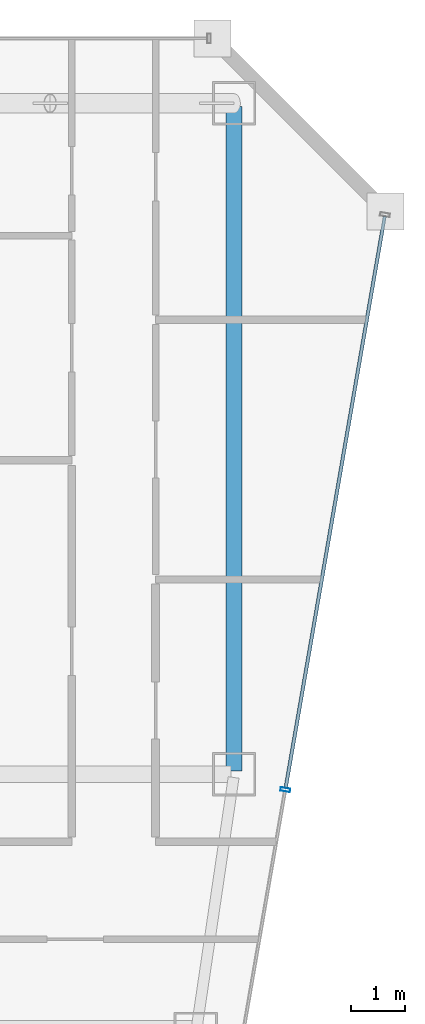
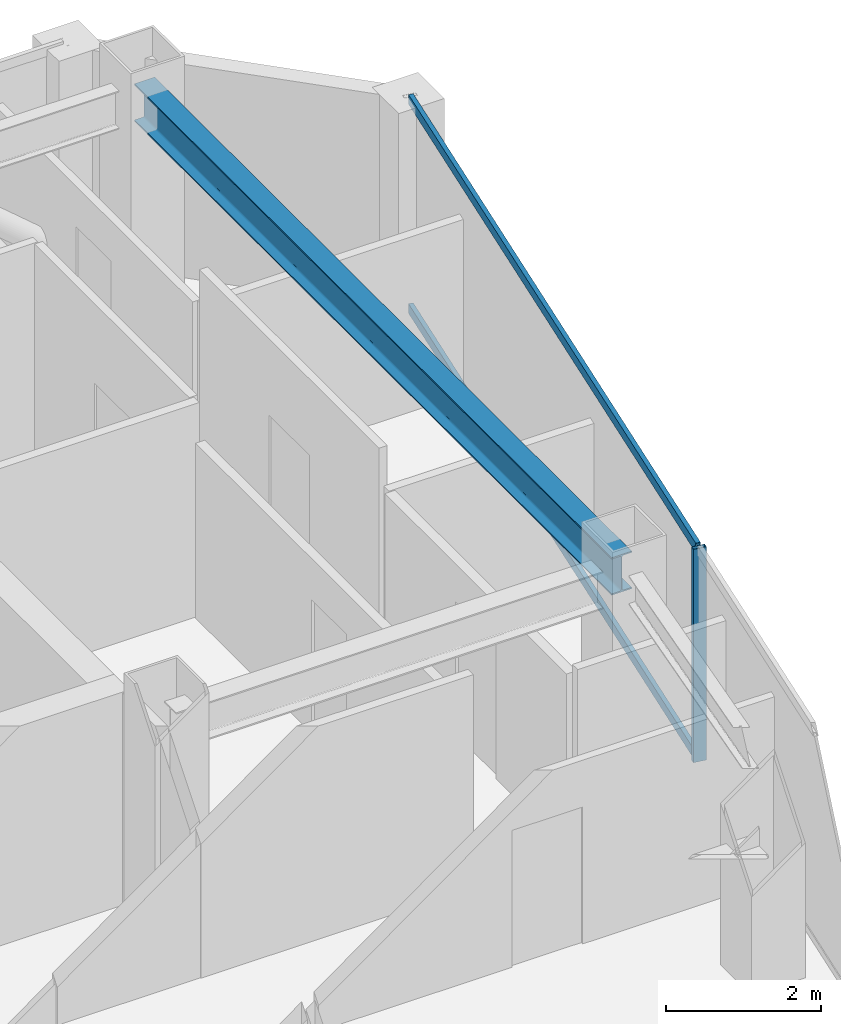
# One storey, part 20 of 35: 3 members, 1 beam, 1 element without a shape of its own.
"""IFC4 building model written with IfcOpenShell, lengths in metres."""

import ifcopenshell
import ifcopenshell.guid

model = None  # the IFC model being written
_history = None  # IfcOwnerHistory: only IFC2X3 demands one
_inside = {}  # id of a spatial element -> (the spatial element, [elements in it])
_under = {}  # id of a project, library or spatial element -> (it, [spatial elements below it])
_declared = {}  # id of a project -> (the project, [libraries it declares])
_typed = {}  # id of a type object -> (the type object, [elements of that type])
_made_of = {}  # id of a material, layer set ... -> (it, [elements and type objects made of it])


def new_model(schema):
    """Start an empty IFC model of exactly this schema.

    Asked for "IFC4X3", IfcOpenShell would pick the latest addendum, in which some entities
    have other attributes; the version numbers below select the first issue.
    IFC2X3 requires an IfcOwnerHistory on every rooted entity: one is made here for all.
    """
    global model, _history
    if schema == "IFC4X3":
        model = ifcopenshell.file(schema_version=(4, 3, 0, 0))
    else:
        model = ifcopenshell.file(schema=schema)
    _inside.clear()
    _under.clear()
    _declared.clear()
    _typed.clear()
    _made_of.clear()
    _history = None
    if model.schema == "IFC2X3":
        org = make("IfcOrganization", Name="unknown")
        user = make(
            "IfcPersonAndOrganization",
            ThePerson=make("IfcPerson", FamilyName="unknown"),
            TheOrganization=org,
        )
        app = make(
            "IfcApplication",
            ApplicationDeveloper=org,
            Version="unknown",
            ApplicationFullName="unknown",
            ApplicationIdentifier="unknown",
        )
        _history = make(
            "IfcOwnerHistory",
            OwningUser=user,
            OwningApplication=app,
            ChangeAction="ADDED",
            CreationDate=0,
        )
    return model


def make(cls, **values):
    """One entity of the class cls with the attributes given. An attribute that is None is left unset."""
    return model.create_entity(
        cls, **{name: value for name, value in values.items() if value is not None}
    )


def rooted(cls, **values):
    """An entity with a GlobalId (a new one), such as an element, a storey or a relation."""
    return make(cls, GlobalId=ifcopenshell.guid.new(), OwnerHistory=_history, **values)


def si_unit(unit_type, name, prefix=None):
    """IfcSIUnit, for example si_unit("LENGTHUNIT", "METRE", prefix="MILLI")."""
    return make("IfcSIUnit", UnitType=unit_type, Prefix=prefix, Name=name)


def assignment(units):
    """IfcUnitAssignment: the units of a project."""
    return None if units is None else make("IfcUnitAssignment", Units=units)


def point(xyz):
    """IfcCartesianPoint."""
    return None if xyz is None else make("IfcCartesianPoint", Coordinates=xyz)


def direction(xyz):
    """IfcDirection."""
    return None if xyz is None else make("IfcDirection", DirectionRatios=xyz)


def frame(location, z_axis=None, x_axis=None):
    """IfcAxis2Placement3D, a coordinate frame: its origin and axes. An axis left out is left unset."""
    return make(
        "IfcAxis2Placement3D",
        Location=point(location),
        Axis=direction(z_axis),
        RefDirection=direction(x_axis),
    )


def frame_2d(location, x_axis=None):
    """IfcAxis2Placement2D, a coordinate frame in the plane: its origin and x axis."""
    return make(
        "IfcAxis2Placement2D", Location=point(location), RefDirection=direction(x_axis)
    )


def origin():
    """The frame at (0, 0, 0) with its axes left unset."""
    return frame((0.0, 0.0, 0.0))


def origin_2d():
    """The frame at (0, 0) in the plane with its x axis left unset."""
    return frame_2d((0.0, 0.0))


def place(relative_to, where):
    """IfcLocalPlacement: puts the frame where relative to a parent placement (None: the world)."""
    return make(
        "IfcLocalPlacement", PlacementRelTo=relative_to, RelativePlacement=where
    )


def context(
    kind, dimensions, precision=None, world=None, true_north=None, identifier=None
):
    """IfcGeometricRepresentationContext, for example the 3D "Model" context."""
    return make(
        "IfcGeometricRepresentationContext",
        ContextIdentifier=identifier,
        ContextType=kind,
        CoordinateSpaceDimension=dimensions,
        Precision=precision,
        WorldCoordinateSystem=world,
        TrueNorth=true_north,
    )


def subcontext(parent, identifier, kind, view, scale=None):
    """IfcGeometricRepresentationSubContext, for example "Body" below "Model"."""
    return make(
        "IfcGeometricRepresentationSubContext",
        ContextIdentifier=identifier,
        ContextType=kind,
        ParentContext=parent,
        TargetScale=scale,
        TargetView=view,
    )


def project(units=None, contexts=None):
    """IfcProject with its units and contexts."""
    return rooted(
        "IfcProject",
        Name="project",
        RepresentationContexts=contexts,
        UnitsInContext=assignment(units),
    )


def spatial(cls, under=None, at=None, **own):
    """A site, building, storey or space (cls), placed at a placement, below another one or the project."""
    s = rooted(cls, ObjectPlacement=at, **own)
    if under is not None:
        _under.setdefault(under.id(), (under, []))[1].append(s)
    return s


def profile(cls, at=None, kind="AREA", **sizes):
    """A parametric profile (cls). Its sizes go by their IFC names, for example OverallWidth=200.0."""
    return make(cls, ProfileType=kind, Position=at, **sizes)


def hollow_rectangle(**sizes):
    """IfcRectangleHollowProfileDef."""
    return profile("IfcRectangleHollowProfileDef", **sizes)


def i_section(**sizes):
    """IfcIShapeProfileDef."""
    return profile("IfcIShapeProfileDef", **sizes)


def extrude(swept, where, along, depth):
    """IfcExtrudedAreaSolid: the profile swept, set in the frame where, extruded along a direction by depth."""
    return make(
        "IfcExtrudedAreaSolid",
        SweptArea=swept,
        Position=where,
        ExtrudedDirection=direction(along),
        Depth=depth,
    )


def shape(context_of_items, identifier, shape_type, items):
    """IfcShapeRepresentation: the items that make up one representation, for example the "Body"."""
    return make(
        "IfcShapeRepresentation",
        ContextOfItems=context_of_items,
        RepresentationIdentifier=identifier,
        RepresentationType=shape_type,
        Items=items,
    )


def material(Name=None, Category=None):
    """IfcMaterial."""
    return make("IfcMaterial", Name=Name, Category=Category)


def material_profile(
    of_material, cross_section, Name=None, Category=None, Priority=None
):
    """IfcMaterialProfile: a cross section and its material."""
    return make(
        "IfcMaterialProfile",
        Name=Name,
        Material=of_material,
        Profile=cross_section,
        Priority=Priority,
        Category=Category,
    )


def profile_set(profiles, Name=None, composite=None):
    """IfcMaterialProfileSet."""
    return make(
        "IfcMaterialProfileSet",
        Name=Name,
        MaterialProfiles=profiles,
        CompositeProfile=composite,
    )


def made_of(thing, what):
    """Note that an element or type object is made of a material, layer set ...; save() writes the relation."""
    if what is not None:
        _made_of.setdefault(what.id(), (what, []))[1].append(thing)
    return thing


def type_object(cls, material=None, **own):
    """A type object (cls), such as IfcWallType, which elements share."""
    return made_of(rooted(cls, **own), material)


def element(
    cls,
    number,
    at=None,
    inside=None,
    cuts=None,
    type_object=None,
    material=None,
    context=None,
    identifier="Body",
    shape_type=None,
    held_by="IfcProductDefinitionShape",
    body=None,
    shapes=None,
    **own,
):
    """One element of the class cls, such as IfcWall. Its Tag is "e" and its number.

    at: its placement. inside: the storey or other place that contains it. cuts: it is an
    opening in that element (IfcRelVoidsElement). A single representation is given by context,
    identifier, shape_type and body (its items); several are given by shapes. held_by: the class
    of the entity that holds the representations. save() writes the other relations.
    """
    e = rooted(cls, Tag="e%d" % number, ObjectPlacement=at, **own)
    if body is not None:
        shapes = [shape(context, identifier, shape_type, body)]
    if shapes is not None:
        e.Representation = make(held_by, Representations=shapes)
    if inside is not None:
        _inside.setdefault(inside.id(), (inside, []))[1].append(e)
    if cuts is not None:
        rooted(
            "IfcRelVoidsElement", RelatingBuildingElement=cuts, RelatedOpeningElement=e
        )
    if type_object is not None:
        _typed.setdefault(type_object.id(), (type_object, []))[1].append(e)
    return made_of(e, material)


def aggregate(whole, parts):
    """IfcRelAggregates: a whole, such as a stair, and the parts it consists of."""
    return rooted("IfcRelAggregates", RelatingObject=whole, RelatedObjects=parts)


def save(model, path):
    """Write the relations noted so far, then the file.

    IfcRelAggregates (storeys below a building ...), IfcRelContainedInSpatialStructure (elements
    in a storey), IfcRelDefinesByType, IfcRelAssociatesMaterial and IfcRelDeclares: one each for
    every whole, place, type object, material and project.
    """
    for whole, parts in _under.values():
        aggregate(whole, parts)
    for where, things in _inside.values():
        rooted(
            "IfcRelContainedInSpatialStructure",
            RelatedElements=things,
            RelatingStructure=where,
        )
    for kind, things in _typed.values():
        rooted("IfcRelDefinesByType", RelatedObjects=things, RelatingType=kind)
    for what, things in _made_of.values():
        rooted("IfcRelAssociatesMaterial", RelatedObjects=things, RelatingMaterial=what)
    for by, libraries in _declared.values():
        rooted("IfcRelDeclares", RelatingContext=by, RelatedDefinitions=libraries)
    model.write(path)


model = new_model("IFC4")

# Units and contexts
model_context = context("Model", 3, precision=1e-05, world=origin(), true_north=direction((0.0, 1.0)))
body_context = subcontext(model_context, "Body", "Model", "MODEL_VIEW")
ifc_project = project(units=[si_unit("LENGTHUNIT", "METRE"), si_unit("AREAUNIT", "SQUARE_METRE"), si_unit("VOLUMEUNIT", "CUBIC_METRE"), si_unit("PLANEANGLEUNIT", "RADIAN"), si_unit("MASSUNIT", "GRAM", prefix="KILO")], contexts=[model_context])

# Site, building, storey
site_placement = place(None, origin())
site = spatial("IfcSite", under=ifc_project, at=site_placement, CompositionType="ELEMENT")
building_placement = place(site_placement, origin())
building = spatial("IfcBuilding", under=site, at=building_placement, Name="Saevonmaru Cultural Tower", CompositionType="ELEMENT")
storey_placement = place(building_placement, frame((0.0, 0.0, 249.60009765625)))
storey = spatial("IfcBuildingStorey", under=building, at=storey_placement, Name="L58", CompositionType="ELEMENT", Elevation=249.60009765625)

# Beam
ifc_material_1 = material(Name="Steel SM355", Category="steel")
ifc_material_profile_1 = material_profile(ifc_material_1, i_section(OverallWidth=0.300048828125, OverallDepth=0.587890625, WebThickness=0.011962890625, FlangeThickness=0.02001953125, FilletRadius=0.02392578125, at=origin_2d()), Name="H-588x300x12x20")
ifc_profile_set_1 = profile_set([ifc_material_profile_1], Name="Steel SM355")
beam_type = type_object("IfcBeamType", Name="BM-G-H588", PredefinedType="BEAM", material=ifc_profile_set_1)
beam_placement = place(storey_placement, frame((53.199951171875, 54.739990234375, 3.055908203125), z_axis=(0.0, -1.0, 0.0), x_axis=(1.0, 0.0, 0.0)))
element("IfcBeam", 1, at=beam_placement, inside=storey, type_object=beam_type, Name="L58 Spine Transverse Girder E", PredefinedType="BEAM", context=body_context, shape_type="SweptSolid", body=[
    extrude(i_section(OverallWidth=0.300048828125, OverallDepth=0.587890625, WebThickness=0.011962890625, FlangeThickness=0.02001953125, FilletRadius=0.02392578125, at=origin_2d()), origin(), (0.0, 0.0, 1.0), 12.280029296875),
])

# Curtain wall, members
ifc_material_2 = material(Name="Satin Bronze Anodised Aluminium", Category="aluminium")
curtain_wall_type = type_object("IfcCurtainWallType", Name="CW-TYP-B", PredefinedType="NOTDEFINED", material=ifc_material_2)
curtain_wall_placement = place(storey_placement, origin())
curtain_wall = element("IfcCurtainWall", 2, at=curtain_wall_placement, inside=storey, type_object=curtain_wall_type, Name="L58 Unitised Curtain Wall E8", PredefinedType="NOTDEFINED")
ifc_material_profile_2 = material_profile(ifc_material_2, hollow_rectangle(XDim=0.06494140625, YDim=0.179931640625, WallThickness=0.00390625, at=origin_2d()), Name="ALU-MULL-180x65x4")
ifc_profile_set_2 = profile_set([ifc_material_profile_2], Name="Satin Bronze Anodised Aluminium")
member_type_1 = type_object("IfcMemberType", Name="ML-CW-180x65", PredefinedType="MULLION", material=ifc_profile_set_2)
member_1_placement = place(storey_placement, frame((54.147705078125, 42.113525390625, 0.0), z_axis=(0.0, 0.0, 1.0), x_axis=(0.170790369887, 0.985307388359, 0.0)))
member_1 = element("IfcMember", 3, at=member_1_placement, type_object=member_type_1, Name="CW-TW-L58-E8 mullion 3", PredefinedType="MULLION", context=body_context, shape_type="SweptSolid", body=[
    extrude(hollow_rectangle(XDim=0.06494140625, YDim=0.179931640625, WallThickness=0.00390625, at=origin_2d()), origin(), (0.0, 0.0, 1.0), 3.349853515625),
])
ifc_material_profile_3 = material_profile(ifc_material_2, hollow_rectangle(XDim=0.06494140625, YDim=0.14990234375, WallThickness=0.00390625, at=origin_2d()), Name="ALU-TRAN-150x65x4")
ifc_profile_set_3 = profile_set([ifc_material_profile_3], Name="Satin Bronze Anodised Aluminium")
member_type_2 = type_object("IfcMemberType", Name="TR-CW-150x65", PredefinedType="USERDEFINED", material=ifc_profile_set_3)
member_2_placement = place(storey_placement, frame((54.1533203125, 42.145751953125, 0.032470703125), z_axis=(0.170773163608, 0.985310370691, 0.0), x_axis=(-0.985310370691, 0.170773163608, 0.0)))
member_2 = element("IfcMember", 4, at=member_2_placement, type_object=member_type_2, Name="CW-TW-L58-E8 transom 3.1", ObjectType="TRANSOM", PredefinedType="USERDEFINED", context=body_context, shape_type="SweptSolid", body=[
    extrude(hollow_rectangle(XDim=0.06494140625, YDim=0.14990234375, WallThickness=0.00390625, at=origin_2d()), origin(), (0.0, 0.0, 1.0), 10.720703125),
])
member_3_placement = place(storey_placement, frame((54.1533203125, 42.145751953125, 3.3173828125), z_axis=(0.170773163608, 0.985310370691, 0.0), x_axis=(-0.985310370691, 0.170773163608, 0.0)))
member_3 = element("IfcMember", 5, at=member_3_placement, type_object=member_type_2, Name="CW-TW-L58-E8 transom 3.2", ObjectType="TRANSOM", PredefinedType="USERDEFINED", context=body_context, shape_type="SweptSolid", body=[
    extrude(hollow_rectangle(XDim=0.06494140625, YDim=0.14990234375, WallThickness=0.00390625, at=origin_2d()), origin(), (0.0, 0.0, 1.0), 10.720703125),
])
aggregate(curtain_wall, [member_1, member_2, member_3])

save(model, "model.ifc")
